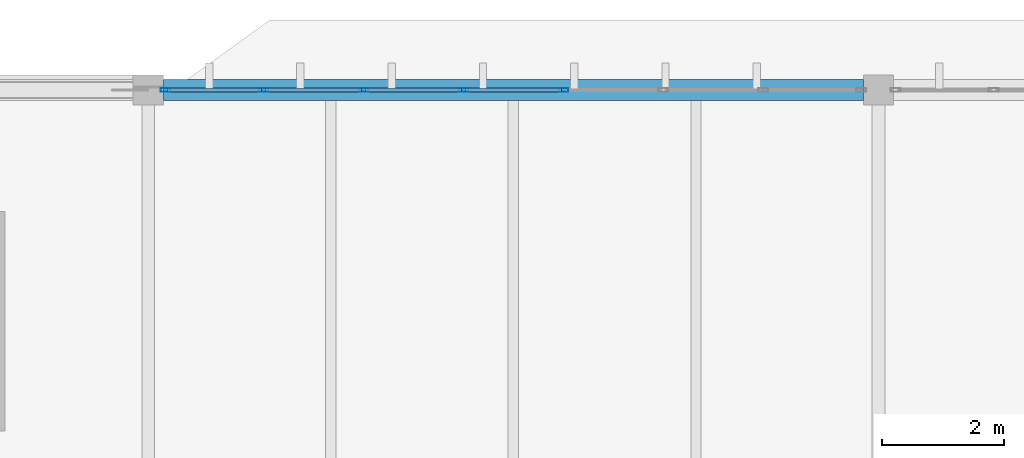
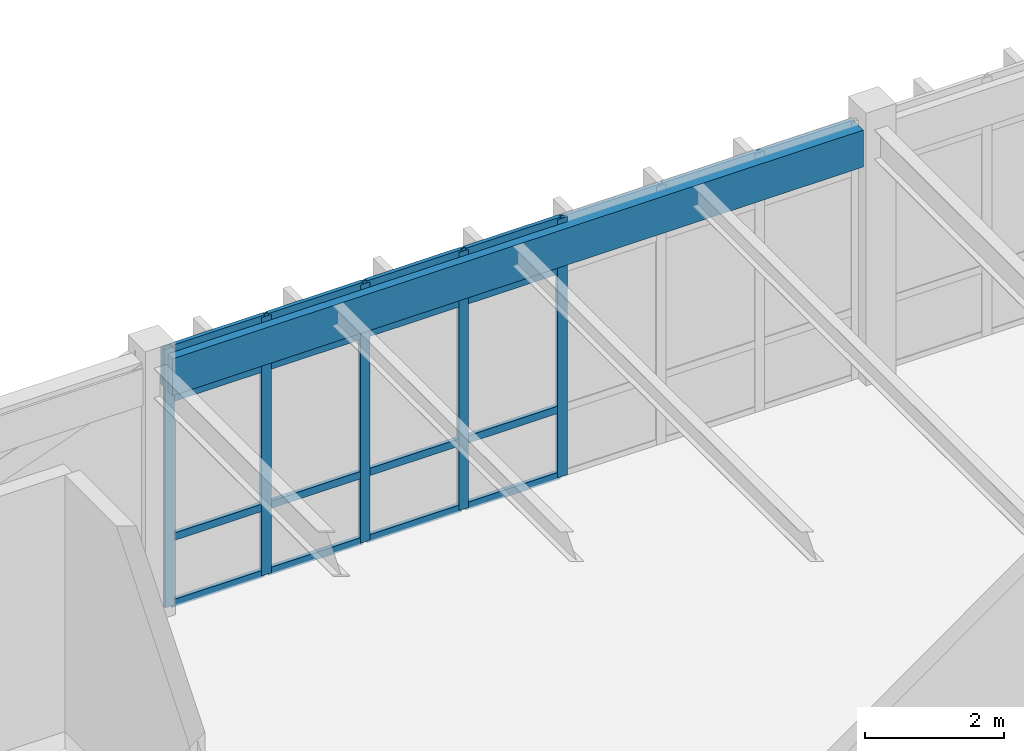
# One storey, part 97 of 236: 21 members, 1 beam, 1 element without a shape of its own.
"""IFC4 building model written with IfcOpenShell, lengths in metres."""

import ifcopenshell
import ifcopenshell.guid

model = None  # the IFC model being written
_history = None  # IfcOwnerHistory: only IFC2X3 demands one
_inside = {}  # id of a spatial element -> (the spatial element, [elements in it])
_under = {}  # id of a project, library or spatial element -> (it, [spatial elements below it])
_declared = {}  # id of a project -> (the project, [libraries it declares])
_typed = {}  # id of a type object -> (the type object, [elements of that type])
_made_of = {}  # id of a material, layer set ... -> (it, [elements and type objects made of it])


def new_model(schema):
    """Start an empty IFC model of exactly this schema.

    Asked for "IFC4X3", IfcOpenShell would pick the latest addendum, in which some entities
    have other attributes; the version numbers below select the first issue.
    IFC2X3 requires an IfcOwnerHistory on every rooted entity: one is made here for all.
    """
    global model, _history
    if schema == "IFC4X3":
        model = ifcopenshell.file(schema_version=(4, 3, 0, 0))
    else:
        model = ifcopenshell.file(schema=schema)
    _inside.clear()
    _under.clear()
    _declared.clear()
    _typed.clear()
    _made_of.clear()
    _history = None
    if model.schema == "IFC2X3":
        org = make("IfcOrganization", Name="unknown")
        user = make(
            "IfcPersonAndOrganization",
            ThePerson=make("IfcPerson", FamilyName="unknown"),
            TheOrganization=org,
        )
        app = make(
            "IfcApplication",
            ApplicationDeveloper=org,
            Version="unknown",
            ApplicationFullName="unknown",
            ApplicationIdentifier="unknown",
        )
        _history = make(
            "IfcOwnerHistory",
            OwningUser=user,
            OwningApplication=app,
            ChangeAction="ADDED",
            CreationDate=0,
        )
    return model


def make(cls, **values):
    """One entity of the class cls with the attributes given. An attribute that is None is left unset."""
    return model.create_entity(
        cls, **{name: value for name, value in values.items() if value is not None}
    )


def rooted(cls, **values):
    """An entity with a GlobalId (a new one), such as an element, a storey or a relation."""
    return make(cls, GlobalId=ifcopenshell.guid.new(), OwnerHistory=_history, **values)


def si_unit(unit_type, name, prefix=None):
    """IfcSIUnit, for example si_unit("LENGTHUNIT", "METRE", prefix="MILLI")."""
    return make("IfcSIUnit", UnitType=unit_type, Prefix=prefix, Name=name)


def assignment(units):
    """IfcUnitAssignment: the units of a project."""
    return None if units is None else make("IfcUnitAssignment", Units=units)


def point(xyz):
    """IfcCartesianPoint."""
    return None if xyz is None else make("IfcCartesianPoint", Coordinates=xyz)


def direction(xyz):
    """IfcDirection."""
    return None if xyz is None else make("IfcDirection", DirectionRatios=xyz)


def frame(location, z_axis=None, x_axis=None):
    """IfcAxis2Placement3D, a coordinate frame: its origin and axes. An axis left out is left unset."""
    return make(
        "IfcAxis2Placement3D",
        Location=point(location),
        Axis=direction(z_axis),
        RefDirection=direction(x_axis),
    )


def frame_2d(location, x_axis=None):
    """IfcAxis2Placement2D, a coordinate frame in the plane: its origin and x axis."""
    return make(
        "IfcAxis2Placement2D", Location=point(location), RefDirection=direction(x_axis)
    )


def origin():
    """The frame at (0, 0, 0) with its axes left unset."""
    return frame((0.0, 0.0, 0.0))


def origin_2d():
    """The frame at (0, 0) in the plane with its x axis left unset."""
    return frame_2d((0.0, 0.0))


def place(relative_to, where):
    """IfcLocalPlacement: puts the frame where relative to a parent placement (None: the world)."""
    return make(
        "IfcLocalPlacement", PlacementRelTo=relative_to, RelativePlacement=where
    )


def context(
    kind, dimensions, precision=None, world=None, true_north=None, identifier=None
):
    """IfcGeometricRepresentationContext, for example the 3D "Model" context."""
    return make(
        "IfcGeometricRepresentationContext",
        ContextIdentifier=identifier,
        ContextType=kind,
        CoordinateSpaceDimension=dimensions,
        Precision=precision,
        WorldCoordinateSystem=world,
        TrueNorth=true_north,
    )


def subcontext(parent, identifier, kind, view, scale=None):
    """IfcGeometricRepresentationSubContext, for example "Body" below "Model"."""
    return make(
        "IfcGeometricRepresentationSubContext",
        ContextIdentifier=identifier,
        ContextType=kind,
        ParentContext=parent,
        TargetScale=scale,
        TargetView=view,
    )


def project(units=None, contexts=None):
    """IfcProject with its units and contexts."""
    return rooted(
        "IfcProject",
        Name="project",
        RepresentationContexts=contexts,
        UnitsInContext=assignment(units),
    )


def spatial(cls, under=None, at=None, **own):
    """A site, building, storey or space (cls), placed at a placement, below another one or the project."""
    s = rooted(cls, ObjectPlacement=at, **own)
    if under is not None:
        _under.setdefault(under.id(), (under, []))[1].append(s)
    return s


def profile(cls, at=None, kind="AREA", **sizes):
    """A parametric profile (cls). Its sizes go by their IFC names, for example OverallWidth=200.0."""
    return make(cls, ProfileType=kind, Position=at, **sizes)


def rectangle(**sizes):
    """IfcRectangleProfileDef."""
    return profile("IfcRectangleProfileDef", **sizes)


def hollow_rectangle(**sizes):
    """IfcRectangleHollowProfileDef."""
    return profile("IfcRectangleHollowProfileDef", **sizes)


def extrude(swept, where, along, depth):
    """IfcExtrudedAreaSolid: the profile swept, set in the frame where, extruded along a direction by depth."""
    return make(
        "IfcExtrudedAreaSolid",
        SweptArea=swept,
        Position=where,
        ExtrudedDirection=direction(along),
        Depth=depth,
    )


def shape(context_of_items, identifier, shape_type, items):
    """IfcShapeRepresentation: the items that make up one representation, for example the "Body"."""
    return make(
        "IfcShapeRepresentation",
        ContextOfItems=context_of_items,
        RepresentationIdentifier=identifier,
        RepresentationType=shape_type,
        Items=items,
    )


def material(Name=None, Category=None):
    """IfcMaterial."""
    return make("IfcMaterial", Name=Name, Category=Category)


def layer(
    of_material, thickness, ventilated=None, Name=None, Category=None, Priority=None
):
    """IfcMaterialLayer: one layer of a wall or slab, of a material (None: an air gap)."""
    return make(
        "IfcMaterialLayer",
        Material=of_material,
        LayerThickness=thickness,
        IsVentilated=ventilated,
        Name=Name,
        Category=Category,
        Priority=Priority,
    )


def layer_set(layers, Name=None):
    """IfcMaterialLayerSet."""
    return make("IfcMaterialLayerSet", MaterialLayers=layers, LayerSetName=Name)


def material_profile(
    of_material, cross_section, Name=None, Category=None, Priority=None
):
    """IfcMaterialProfile: a cross section and its material."""
    return make(
        "IfcMaterialProfile",
        Name=Name,
        Material=of_material,
        Profile=cross_section,
        Priority=Priority,
        Category=Category,
    )


def profile_set(profiles, Name=None, composite=None):
    """IfcMaterialProfileSet."""
    return make(
        "IfcMaterialProfileSet",
        Name=Name,
        MaterialProfiles=profiles,
        CompositeProfile=composite,
    )


def made_of(thing, what):
    """Note that an element or type object is made of a material, layer set ...; save() writes the relation."""
    if what is not None:
        _made_of.setdefault(what.id(), (what, []))[1].append(thing)
    return thing


def type_object(cls, material=None, **own):
    """A type object (cls), such as IfcWallType, which elements share."""
    return made_of(rooted(cls, **own), material)


def element(
    cls,
    number,
    at=None,
    inside=None,
    cuts=None,
    type_object=None,
    material=None,
    context=None,
    identifier="Body",
    shape_type=None,
    held_by="IfcProductDefinitionShape",
    body=None,
    shapes=None,
    **own,
):
    """One element of the class cls, such as IfcWall. Its Tag is "e" and its number.

    at: its placement. inside: the storey or other place that contains it. cuts: it is an
    opening in that element (IfcRelVoidsElement). A single representation is given by context,
    identifier, shape_type and body (its items); several are given by shapes. held_by: the class
    of the entity that holds the representations. save() writes the other relations.
    """
    e = rooted(cls, Tag="e%d" % number, ObjectPlacement=at, **own)
    if body is not None:
        shapes = [shape(context, identifier, shape_type, body)]
    if shapes is not None:
        e.Representation = make(held_by, Representations=shapes)
    if inside is not None:
        _inside.setdefault(inside.id(), (inside, []))[1].append(e)
    if cuts is not None:
        rooted(
            "IfcRelVoidsElement", RelatingBuildingElement=cuts, RelatedOpeningElement=e
        )
    if type_object is not None:
        _typed.setdefault(type_object.id(), (type_object, []))[1].append(e)
    return made_of(e, material)


def aggregate(whole, parts):
    """IfcRelAggregates: a whole, such as a stair, and the parts it consists of."""
    return rooted("IfcRelAggregates", RelatingObject=whole, RelatedObjects=parts)


def save(model, path):
    """Write the relations noted so far, then the file.

    IfcRelAggregates (storeys below a building ...), IfcRelContainedInSpatialStructure (elements
    in a storey), IfcRelDefinesByType, IfcRelAssociatesMaterial and IfcRelDeclares: one each for
    every whole, place, type object, material and project.
    """
    for whole, parts in _under.values():
        aggregate(whole, parts)
    for where, things in _inside.values():
        rooted(
            "IfcRelContainedInSpatialStructure",
            RelatedElements=things,
            RelatingStructure=where,
        )
    for kind, things in _typed.values():
        rooted("IfcRelDefinesByType", RelatedObjects=things, RelatingType=kind)
    for what, things in _made_of.values():
        rooted("IfcRelAssociatesMaterial", RelatedObjects=things, RelatingMaterial=what)
    for by, libraries in _declared.values():
        rooted("IfcRelDeclares", RelatingContext=by, RelatedDefinitions=libraries)
    model.write(path)


model = new_model("IFC4")

# Units and contexts
model_context = context("Model", 3, precision=1e-05, world=origin(), true_north=direction((0.0, 1.0)))
body_context = subcontext(model_context, "Body", "Model", "MODEL_VIEW")
ifc_project = project(units=[si_unit("LENGTHUNIT", "METRE"), si_unit("AREAUNIT", "SQUARE_METRE"), si_unit("VOLUMEUNIT", "CUBIC_METRE"), si_unit("PLANEANGLEUNIT", "RADIAN"), si_unit("MASSUNIT", "GRAM", prefix="KILO")], contexts=[model_context])

# Site, building, storey
site_placement = place(None, origin())
site = spatial("IfcSite", under=ifc_project, at=site_placement, CompositionType="ELEMENT")
building_placement = place(site_placement, origin())
building = spatial("IfcBuilding", under=site, at=building_placement, Name="Pandanus Reach Market Hall", CompositionType="ELEMENT")
storey_placement = place(building_placement, frame((0.0, 0.0, 5.39990234375)))
storey = spatial("IfcBuildingStorey", under=building, at=storey_placement, Name="L01", CompositionType="ELEMENT", Elevation=5.39990234375)

# Beam
ifc_material_1 = material(Name="Concrete N40 (40 MPa)", Category="concrete")
ifc_material_profile_1 = material_profile(ifc_material_1, rectangle(XDim=0.35009765625, YDim=0.64990234375, at=origin_2d()), Name="RC350x650", Category="LoadBearing")
ifc_profile_set_1 = profile_set([ifc_material_profile_1], Name="Concrete N40 (40 MPa)")
beam_type = type_object("IfcBeamType", Name="BM-RC350-E", PredefinedType="SPANDREL", material=ifc_profile_set_1)
beam_placement = place(storey_placement, frame((72.248046875, 120.0, 4.135009765625), z_axis=(1.0, 0.0, 0.0), x_axis=(0.0, 1.0, 0.0)))
element("IfcBeam", 1, at=beam_placement, inside=storey, type_object=beam_type, Name="Framing beam BM-RC350-E L01.863", PredefinedType="SPANDREL", context=body_context, shape_type="SweptSolid", body=[
    extrude(rectangle(XDim=0.35009765625, YDim=0.64990234375, at=origin_2d()), origin(), (0.0, 0.0, 1.0), 11.50390625),
])

# Curtain wall, members
ifc_material_2 = material(Name="Bronze anodised aluminium and low-E glass", Category="aluminium")
ifc_layer = layer(ifc_material_2, 0.159912109375, Name="CW-39")
ifc_layer_set = layer_set([ifc_layer], Name="Bronze anodised aluminium and low-E glass")
curtain_wall_type = type_object("IfcCurtainWallType", Name="CW-39", PredefinedType="NOTDEFINED", material=ifc_layer_set)
curtain_wall_placement = place(storey_placement, origin())
curtain_wall = element("IfcCurtainWall", 2, at=curtain_wall_placement, inside=storey, type_object=curtain_wall_type, Name="Glazed curtain wall CW-39 CW-0137", PredefinedType="NOTDEFINED")
ifc_material_3 = material(Name="Bronze anodised aluminium", Category="aluminium")
ifc_material_profile_2 = material_profile(ifc_material_3, hollow_rectangle(XDim=0.06494140625, YDim=0.159912109375, WallThickness=0.00390625, at=origin_2d()), Name="ALU65x160", Category="LoadBearing")
ifc_profile_set_2 = profile_set([ifc_material_profile_2], Name="Bronze anodised aluminium")
member_type_1 = type_object("IfcMemberType", Name="CW-M1", PredefinedType="MULLION", material=ifc_profile_set_2)
member_1_placement = place(storey_placement, frame((72.282470703125, 120.0, 0.0), z_axis=(0.0, 0.0, 1.0), x_axis=(0.0, 1.0, 0.0)))
member_1 = element("IfcMember", 3, at=member_1_placement, type_object=member_type_1, Name="CW-39 mullion 1", PredefinedType="MULLION", context=body_context, shape_type="SweptSolid", body=[
    extrude(hollow_rectangle(XDim=0.06494140625, YDim=0.159912109375, WallThickness=0.00390625, at=origin_2d()), origin(), (0.0, 0.0, 1.0), 4.550048828125),
])
member_2_placement = place(storey_placement, frame((73.892822265625, 120.0, 0.0), z_axis=(0.0, 0.0, 1.0), x_axis=(0.0, 1.0, 0.0)))
member_2 = element("IfcMember", 4, at=member_2_placement, type_object=member_type_1, Name="CW-39 mullion 2", PredefinedType="MULLION", context=body_context, shape_type="SweptSolid", body=[
    extrude(hollow_rectangle(XDim=0.06494140625, YDim=0.159912109375, WallThickness=0.00390625, at=origin_2d()), origin(), (0.0, 0.0, 1.0), 4.550048828125),
])
member_3_placement = place(storey_placement, frame((75.53564453125, 120.0, 0.0), z_axis=(0.0, 0.0, 1.0), x_axis=(0.0, 1.0, 0.0)))
member_3 = element("IfcMember", 5, at=member_3_placement, type_object=member_type_1, Name="CW-39 mullion 3", PredefinedType="MULLION", context=body_context, shape_type="SweptSolid", body=[
    extrude(hollow_rectangle(XDim=0.06494140625, YDim=0.159912109375, WallThickness=0.00390625, at=origin_2d()), origin(), (0.0, 0.0, 1.0), 4.550048828125),
])
member_4_placement = place(storey_placement, frame((77.178466796875, 120.0, 0.0), z_axis=(0.0, 0.0, 1.0), x_axis=(0.0, 1.0, 0.0)))
member_4 = element("IfcMember", 6, at=member_4_placement, type_object=member_type_1, Name="CW-39 mullion 4", PredefinedType="MULLION", context=body_context, shape_type="SweptSolid", body=[
    extrude(hollow_rectangle(XDim=0.06494140625, YDim=0.159912109375, WallThickness=0.00390625, at=origin_2d()), origin(), (0.0, 0.0, 1.0), 4.550048828125),
])
member_5_placement = place(storey_placement, frame((78.821533203125, 120.0, 0.0), z_axis=(0.0, 0.0, 1.0), x_axis=(0.0, 1.0, 0.0)))
member_5 = element("IfcMember", 7, at=member_5_placement, type_object=member_type_1, Name="CW-39 mullion 5", PredefinedType="MULLION", context=body_context, shape_type="SweptSolid", body=[
    extrude(hollow_rectangle(XDim=0.06494140625, YDim=0.159912109375, WallThickness=0.00390625, at=origin_2d()), origin(), (0.0, 0.0, 1.0), 4.550048828125),
])
ifc_material_profile_3 = material_profile(ifc_material_3, hollow_rectangle(XDim=0.06494140625, YDim=0.1298828125, WallThickness=0.00390625, at=origin_2d()), Name="ALU65x130", Category="LoadBearing")
ifc_profile_set_3 = profile_set([ifc_material_profile_3], Name="Bronze anodised aluminium")
member_type_2 = type_object("IfcMemberType", Name="CW-T1", PredefinedType="USERDEFINED", material=ifc_profile_set_3)
member_6_placement = place(storey_placement, frame((72.31494140625, 120.0, 0.03271484375), z_axis=(1.0, 0.0, 0.0), x_axis=(0.0, 1.0, 0.0)))
member_6 = element("IfcMember", 8, at=member_6_placement, type_object=member_type_2, Name="CW-39 transom 1.1", ObjectType="TRANSOM", PredefinedType="USERDEFINED", context=body_context, shape_type="SweptSolid", body=[
    extrude(hollow_rectangle(XDim=0.06494140625, YDim=0.1298828125, WallThickness=0.00390625, at=origin_2d()), origin(), (0.0, 0.0, 1.0), 1.54541015625),
])
member_7_placement = place(storey_placement, frame((72.31494140625, 120.0, 1.2001953125), z_axis=(1.0, 0.0, 0.0), x_axis=(0.0, 1.0, 0.0)))
member_7 = element("IfcMember", 9, at=member_7_placement, type_object=member_type_2, Name="CW-39 transom 1.2", ObjectType="TRANSOM", PredefinedType="USERDEFINED", context=body_context, shape_type="SweptSolid", body=[
    extrude(hollow_rectangle(XDim=0.06494140625, YDim=0.1298828125, WallThickness=0.00390625, at=origin_2d()), origin(), (0.0, 0.0, 1.0), 1.54541015625),
])
member_8_placement = place(storey_placement, frame((72.31494140625, 120.0, 3.650146484375), z_axis=(1.0, 0.0, 0.0), x_axis=(0.0, 1.0, 0.0)))
member_8 = element("IfcMember", 10, at=member_8_placement, type_object=member_type_2, Name="CW-39 transom 1.3", ObjectType="TRANSOM", PredefinedType="USERDEFINED", context=body_context, shape_type="SweptSolid", body=[
    extrude(hollow_rectangle(XDim=0.06494140625, YDim=0.1298828125, WallThickness=0.00390625, at=origin_2d()), origin(), (0.0, 0.0, 1.0), 1.54541015625),
])
member_9_placement = place(storey_placement, frame((72.31494140625, 120.0, 4.517578125), z_axis=(1.0, 0.0, 0.0), x_axis=(0.0, 1.0, 0.0)))
member_9 = element("IfcMember", 11, at=member_9_placement, type_object=member_type_2, Name="CW-39 transom 1.4", ObjectType="TRANSOM", PredefinedType="USERDEFINED", context=body_context, shape_type="SweptSolid", body=[
    extrude(hollow_rectangle(XDim=0.06494140625, YDim=0.1298828125, WallThickness=0.00390625, at=origin_2d()), origin(), (0.0, 0.0, 1.0), 1.54541015625),
])
member_10_placement = place(storey_placement, frame((73.92529296875, 120.0, 0.03271484375), z_axis=(1.0, 0.0, 0.0), x_axis=(0.0, 1.0, 0.0)))
member_10 = element("IfcMember", 12, at=member_10_placement, type_object=member_type_2, Name="CW-39 transom 2.1", ObjectType="TRANSOM", PredefinedType="USERDEFINED", context=body_context, shape_type="SweptSolid", body=[
    extrude(hollow_rectangle(XDim=0.06494140625, YDim=0.1298828125, WallThickness=0.00390625, at=origin_2d()), origin(), (0.0, 0.0, 1.0), 1.577880859375),
])
member_11_placement = place(storey_placement, frame((73.92529296875, 120.0, 1.2001953125), z_axis=(1.0, 0.0, 0.0), x_axis=(0.0, 1.0, 0.0)))
member_11 = element("IfcMember", 13, at=member_11_placement, type_object=member_type_2, Name="CW-39 transom 2.2", ObjectType="TRANSOM", PredefinedType="USERDEFINED", context=body_context, shape_type="SweptSolid", body=[
    extrude(hollow_rectangle(XDim=0.06494140625, YDim=0.1298828125, WallThickness=0.00390625, at=origin_2d()), origin(), (0.0, 0.0, 1.0), 1.577880859375),
])
member_12_placement = place(storey_placement, frame((73.92529296875, 120.0, 3.650146484375), z_axis=(1.0, 0.0, 0.0), x_axis=(0.0, 1.0, 0.0)))
member_12 = element("IfcMember", 14, at=member_12_placement, type_object=member_type_2, Name="CW-39 transom 2.3", ObjectType="TRANSOM", PredefinedType="USERDEFINED", context=body_context, shape_type="SweptSolid", body=[
    extrude(hollow_rectangle(XDim=0.06494140625, YDim=0.1298828125, WallThickness=0.00390625, at=origin_2d()), origin(), (0.0, 0.0, 1.0), 1.577880859375),
])
member_13_placement = place(storey_placement, frame((73.92529296875, 120.0, 4.517578125), z_axis=(1.0, 0.0, 0.0), x_axis=(0.0, 1.0, 0.0)))
member_13 = element("IfcMember", 15, at=member_13_placement, type_object=member_type_2, Name="CW-39 transom 2.4", ObjectType="TRANSOM", PredefinedType="USERDEFINED", context=body_context, shape_type="SweptSolid", body=[
    extrude(hollow_rectangle(XDim=0.06494140625, YDim=0.1298828125, WallThickness=0.00390625, at=origin_2d()), origin(), (0.0, 0.0, 1.0), 1.577880859375),
])
member_14_placement = place(storey_placement, frame((75.568115234375, 120.0, 0.03271484375), z_axis=(1.0, 0.0, 0.0), x_axis=(0.0, 1.0, 0.0)))
member_14 = element("IfcMember", 16, at=member_14_placement, type_object=member_type_2, Name="CW-39 transom 3.1", ObjectType="TRANSOM", PredefinedType="USERDEFINED", context=body_context, shape_type="SweptSolid", body=[
    extrude(hollow_rectangle(XDim=0.06494140625, YDim=0.1298828125, WallThickness=0.00390625, at=origin_2d()), origin(), (0.0, 0.0, 1.0), 1.577880859375),
])
member_15_placement = place(storey_placement, frame((75.568115234375, 120.0, 1.2001953125), z_axis=(1.0, 0.0, 0.0), x_axis=(0.0, 1.0, 0.0)))
member_15 = element("IfcMember", 17, at=member_15_placement, type_object=member_type_2, Name="CW-39 transom 3.2", ObjectType="TRANSOM", PredefinedType="USERDEFINED", context=body_context, shape_type="SweptSolid", body=[
    extrude(hollow_rectangle(XDim=0.06494140625, YDim=0.1298828125, WallThickness=0.00390625, at=origin_2d()), origin(), (0.0, 0.0, 1.0), 1.577880859375),
])
member_16_placement = place(storey_placement, frame((75.568115234375, 120.0, 3.650146484375), z_axis=(1.0, 0.0, 0.0), x_axis=(0.0, 1.0, 0.0)))
member_16 = element("IfcMember", 18, at=member_16_placement, type_object=member_type_2, Name="CW-39 transom 3.3", ObjectType="TRANSOM", PredefinedType="USERDEFINED", context=body_context, shape_type="SweptSolid", body=[
    extrude(hollow_rectangle(XDim=0.06494140625, YDim=0.1298828125, WallThickness=0.00390625, at=origin_2d()), origin(), (0.0, 0.0, 1.0), 1.577880859375),
])
member_17_placement = place(storey_placement, frame((75.568115234375, 120.0, 4.517578125), z_axis=(1.0, 0.0, 0.0), x_axis=(0.0, 1.0, 0.0)))
member_17 = element("IfcMember", 19, at=member_17_placement, type_object=member_type_2, Name="CW-39 transom 3.4", ObjectType="TRANSOM", PredefinedType="USERDEFINED", context=body_context, shape_type="SweptSolid", body=[
    extrude(hollow_rectangle(XDim=0.06494140625, YDim=0.1298828125, WallThickness=0.00390625, at=origin_2d()), origin(), (0.0, 0.0, 1.0), 1.577880859375),
])
member_18_placement = place(storey_placement, frame((77.211181640625, 120.0, 0.03271484375), z_axis=(1.0, 0.0, 0.0), x_axis=(0.0, 1.0, 0.0)))
member_18 = element("IfcMember", 20, at=member_18_placement, type_object=member_type_2, Name="CW-39 transom 4.1", ObjectType="TRANSOM", PredefinedType="USERDEFINED", context=body_context, shape_type="SweptSolid", body=[
    extrude(hollow_rectangle(XDim=0.06494140625, YDim=0.1298828125, WallThickness=0.00390625, at=origin_2d()), origin(), (0.0, 0.0, 1.0), 1.57763671875),
])
member_19_placement = place(storey_placement, frame((77.211181640625, 120.0, 1.2001953125), z_axis=(1.0, 0.0, 0.0), x_axis=(0.0, 1.0, 0.0)))
member_19 = element("IfcMember", 21, at=member_19_placement, type_object=member_type_2, Name="CW-39 transom 4.2", ObjectType="TRANSOM", PredefinedType="USERDEFINED", context=body_context, shape_type="SweptSolid", body=[
    extrude(hollow_rectangle(XDim=0.06494140625, YDim=0.1298828125, WallThickness=0.00390625, at=origin_2d()), origin(), (0.0, 0.0, 1.0), 1.57763671875),
])
member_20_placement = place(storey_placement, frame((77.211181640625, 120.0, 3.650146484375), z_axis=(1.0, 0.0, 0.0), x_axis=(0.0, 1.0, 0.0)))
member_20 = element("IfcMember", 22, at=member_20_placement, type_object=member_type_2, Name="CW-39 transom 4.3", ObjectType="TRANSOM", PredefinedType="USERDEFINED", context=body_context, shape_type="SweptSolid", body=[
    extrude(hollow_rectangle(XDim=0.06494140625, YDim=0.1298828125, WallThickness=0.00390625, at=origin_2d()), origin(), (0.0, 0.0, 1.0), 1.57763671875),
])
member_21_placement = place(storey_placement, frame((77.211181640625, 120.0, 4.517578125), z_axis=(1.0, 0.0, 0.0), x_axis=(0.0, 1.0, 0.0)))
member_21 = element("IfcMember", 23, at=member_21_placement, type_object=member_type_2, Name="CW-39 transom 4.4", ObjectType="TRANSOM", PredefinedType="USERDEFINED", context=body_context, shape_type="SweptSolid", body=[
    extrude(hollow_rectangle(XDim=0.06494140625, YDim=0.1298828125, WallThickness=0.00390625, at=origin_2d()), origin(), (0.0, 0.0, 1.0), 1.57763671875),
])
aggregate(curtain_wall, [member_1, member_2, member_3, member_4, member_5, member_6, member_7, member_8, member_9, member_10, member_11, member_12, member_13, member_14, member_15, member_16, member_17, member_18, member_19, member_20, member_21])

save(model, "model.ifc")
